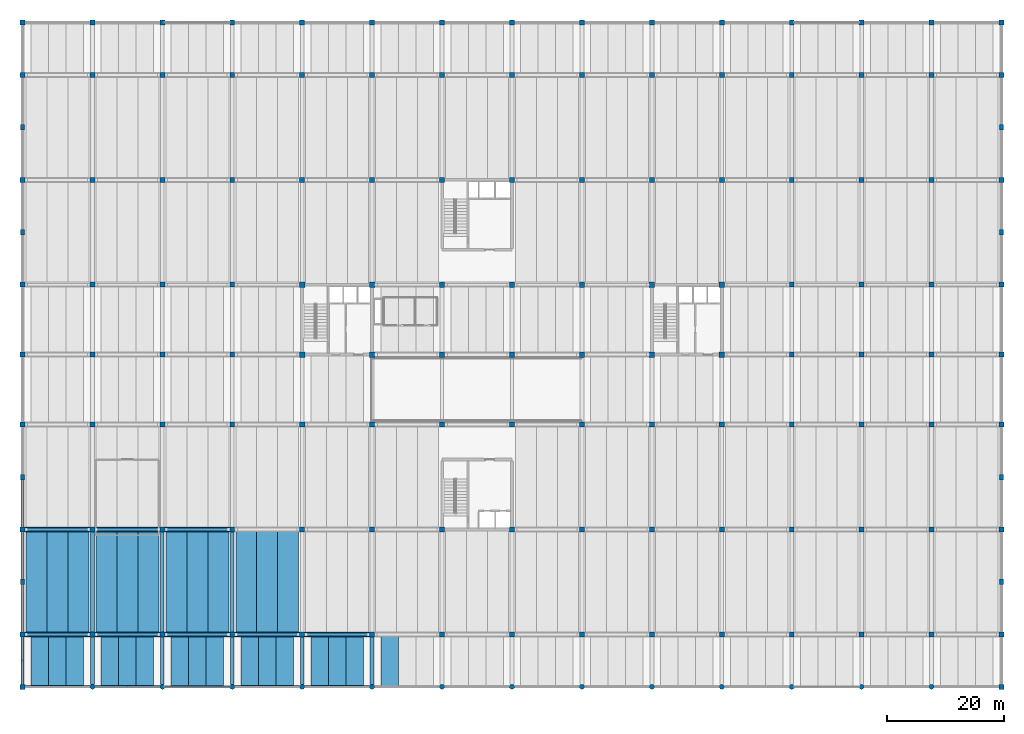
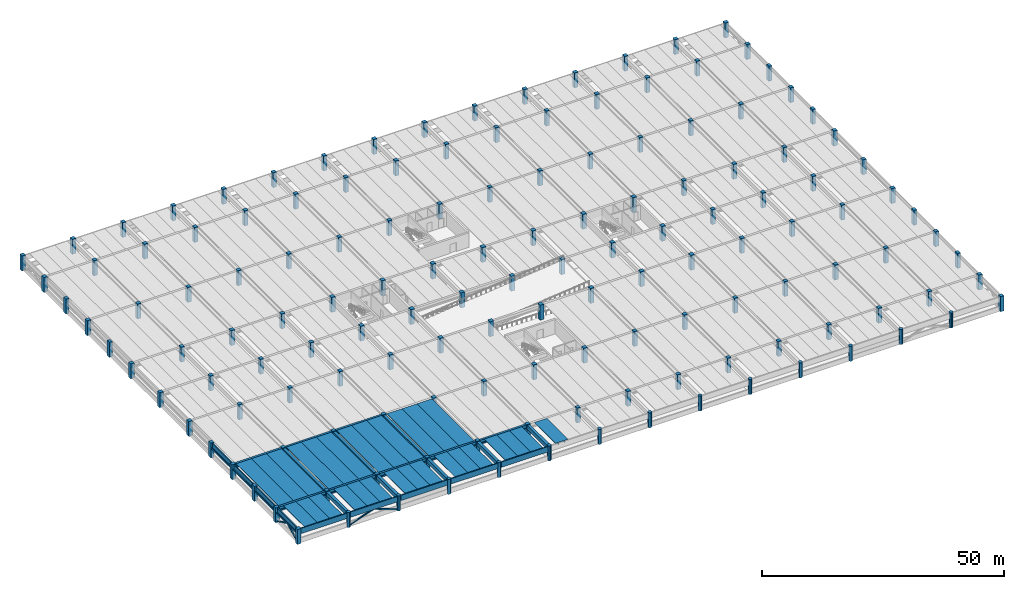
# One storey, part 1 of 19: 143 columns, 53 beams, 4 members.
"""IFC4 building model written with IfcOpenShell, lengths in metres."""

from ifc_helpers import new_model, si_unit, direction, frame, origin, origin_2d, place, context, subcontext, project, spatial, polyline, rectangle, hollow_rectangle, circle, outline, extrude, material, material_profile, profile_set, type_object, element, save


model = new_model("IFC4")

# Units and contexts
model_context = context("Model", 3, precision=1e-05, world=origin(), true_north=direction((0.0, 1.0)))
body_context = subcontext(model_context, "Body", "Model", "MODEL_VIEW")
ifc_project = project(units=[si_unit("LENGTHUNIT", "METRE"), si_unit("AREAUNIT", "SQUARE_METRE"), si_unit("VOLUMEUNIT", "CUBIC_METRE"), si_unit("PLANEANGLEUNIT", "RADIAN"), si_unit("MASSUNIT", "GRAM", prefix="KILO")], contexts=[model_context])

# Site, building, storey
site_placement = place(None, origin())
site = spatial("IfcSite", under=ifc_project, at=site_placement, CompositionType="ELEMENT")
building_placement = place(site_placement, origin())
building = spatial("IfcBuilding", under=site, at=building_placement, Name="Girod Span Mobility Hub", CompositionType="ELEMENT")
storey_placement = place(building_placement, frame((0.0, 0.0, 9.60009765625)))
storey = spatial("IfcBuildingStorey", under=building, at=storey_placement, Name="L02", CompositionType="ELEMENT", Elevation=9.60009765625)

# Columns
ifc_material_1 = material(Name="Concrete C40/50", Category="concrete")
ifc_material_profile_1 = material_profile(ifc_material_1, rectangle(XDim=0.85009765625, YDim=0.85009765625, at=origin_2d()), Name="PC-COL-850X850")
ifc_profile_set_1 = profile_set([ifc_material_profile_1], Name="Concrete C40/50")
column_type_1 = type_object("IfcColumnType", Name="COL-PC-850X850", PredefinedType="COLUMN", material=ifc_profile_set_1)
for number, where, z_axis, x_axis, name in (
    (1, (0.0, 0.0, 0.0), (0.0, 0.0, 1.0), (1.0, 0.0, 0.0), "Column 1A L02"),
    (2, (0.0, 9.0, 0.0), (0.0, 0.0, 1.0), (1.0, 0.0, 0.0), "Column 1B L02"),
    (3, (0.0, 27.0, 0.0), (0.0, 0.0, 1.0), (1.0, 0.0, 0.0), "Column 1C L02"),
    (4, (0.0, 45.0, 0.0), (0.0, 0.0, 1.0), (1.0, 0.0, 0.0), "Column 1D L02"),
    (5, (0.0, 57.0, 0.0), (0.0, 0.0, 1.0), (1.0, 0.0, 0.0), "Column 1E L02"),
    (6, (0.0, 69.0, 0.0), (0.0, 0.0, 1.0), (1.0, 0.0, 0.0), "Column 1F L02"),
    (7, (0.0, 87.0, 0.0), (0.0, 0.0, 1.0), (1.0, 0.0, 0.0), "Column 1G L02"),
    (8, (0.0, 105.0, 0.0), (0.0, 0.0, 1.0), (1.0, 0.0, 0.0), "Column 1H L02"),
    (9, (0.0, 114.0, 0.0), (0.0, 0.0, 1.0), (1.0, 0.0, 0.0), "Column 1J L02"),
    (10, (12.0, 9.0, 0.0), (0.0, 0.0, 1.0), (1.0, 0.0, 0.0), "Column 2B L02"),
    (11, (12.0, 27.0, 0.0), (0.0, 0.0, 1.0), (1.0, 0.0, 0.0), "Column 2C L02"),
    (12, (12.0, 45.0, 0.0), (0.0, 0.0, 1.0), (1.0, 0.0, 0.0), "Column 2D L02"),
    (13, (12.0, 57.0, 0.0), (0.0, 0.0, 1.0), (1.0, 0.0, 0.0), "Column 2E L02"),
    (14, (12.0, 69.0, 0.0), (0.0, 0.0, 1.0), (1.0, 0.0, 0.0), "Column 2F L02"),
    (15, (12.0, 87.0, 0.0), (0.0, 0.0, 1.0), (1.0, 0.0, 0.0), "Column 2G L02"),
    (16, (12.0, 105.0, 0.0), (0.0, 0.0, 1.0), (1.0, 0.0, 0.0), "Column 2H L02"),
    (17, (12.0, 114.0, 0.0), (0.0, 0.0, 1.0), (1.0, 0.0, 0.0), "Column 2J L02"),
    (18, (24.0, 9.0, 0.0), (0.0, 0.0, 1.0), (1.0, 0.0, 0.0), "Column 3B L02"),
    (19, (24.0, 27.0, 0.0), (0.0, 0.0, 1.0), (1.0, 0.0, 0.0), "Column 3C L02"),
    (20, (24.0, 45.0, 0.0), (0.0, 0.0, 1.0), (1.0, 0.0, 0.0), "Column 3D L02"),
    (21, (24.0, 57.0, 0.0), (0.0, 0.0, 1.0), (1.0, 0.0, 0.0), "Column 3E L02"),
    (22, (24.0, 69.0, 0.0), (0.0, 0.0, 1.0), (1.0, 0.0, 0.0), "Column 3F L02"),
    (23, (24.0, 87.0, 0.0), (0.0, 0.0, 1.0), (1.0, 0.0, 0.0), "Column 3G L02"),
    (24, (24.0, 105.0, 0.0), (0.0, 0.0, 1.0), (1.0, 0.0, 0.0), "Column 3H L02"),
    (25, (24.0, 114.0, 0.0), (0.0, 0.0, 1.0), (1.0, 0.0, 0.0), "Column 3J L02"),
    (26, (36.0, 9.0, 0.0), (0.0, 0.0, 1.0), (1.0, 0.0, 0.0), "Column 4B L02"),
    (27, (36.0, 27.0, 0.0), (0.0, 0.0, 1.0), (1.0, 0.0, 0.0), "Column 4C L02"),
    (28, (36.0, 45.0, 0.0), (0.0, 0.0, 1.0), (1.0, 0.0, 0.0), "Column 4D L02"),
    (29, (36.0, 57.0, 0.0), (0.0, 0.0, 1.0), (1.0, 0.0, 0.0), "Column 4E L02"),
    (30, (36.0, 69.0, 0.0), (0.0, 0.0, 1.0), (1.0, 0.0, 0.0), "Column 4F L02"),
    (31, (36.0, 87.0, 0.0), (0.0, 0.0, 1.0), (1.0, 0.0, 0.0), "Column 4G L02"),
    (32, (36.0, 105.0, 0.0), (0.0, 0.0, 1.0), (1.0, 0.0, 0.0), "Column 4H L02"),
    (33, (36.0, 114.0, 0.0), (0.0, 0.0, 1.0), (1.0, 0.0, 0.0), "Column 4J L02"),
    (34, (48.0, 9.0, 0.0), (0.0, 0.0, 1.0), (1.0, 0.0, 0.0), "Column 5B L02"),
    (35, (48.0, 27.0, 0.0), (0.0, 0.0, 1.0), (1.0, 0.0, 0.0), "Column 5C L02"),
    (36, (48.0, 87.0, 0.0), (0.0, 0.0, 1.0), (1.0, 0.0, 0.0), "Column 5G L02"),
    (37, (48.0, 105.0, 0.0), (0.0, 0.0, 1.0), (1.0, 0.0, 0.0), "Column 5H L02"),
    (38, (48.0, 114.0, 0.0), (0.0, 0.0, 1.0), (1.0, 0.0, 0.0), "Column 5J L02"),
    (39, (60.0, 9.0, 0.0), (0.0, 0.0, 1.0), (1.0, 0.0, 0.0), "Column 6B L02"),
    (40, (60.0, 27.0, 0.0), (0.0, 0.0, 1.0), (1.0, 0.0, 0.0), "Column 6C L02"),
    (41, (60.0, 87.0, 0.0), (0.0, 0.0, 1.0), (1.0, 0.0, 0.0), "Column 6G L02"),
    (42, (60.0, 105.0, 0.0), (0.0, 0.0, 1.0), (1.0, 0.0, 0.0), "Column 6H L02"),
    (43, (60.0, 114.0, 0.0), (0.0, 0.0, 1.0), (1.0, 0.0, 0.0), "Column 6J L02"),
    (44, (72.0, 9.0, 0.0), (0.0, 0.0, 1.0), (1.0, 0.0, 0.0), "Column 7B L02"),
    (45, (72.0, 27.0, 0.0), (0.0, 0.0, 1.0), (1.0, 0.0, 0.0), "Column 7C L02"),
    (46, (72.0, 87.0, 0.0), (0.0, 0.0, 1.0), (1.0, 0.0, 0.0), "Column 7G L02"),
    (47, (72.0, 105.0, 0.0), (0.0, 0.0, 1.0), (1.0, 0.0, 0.0), "Column 7H L02"),
    (48, (72.0, 114.0, 0.0), (0.0, 0.0, 1.0), (1.0, 0.0, 0.0), "Column 7J L02"),
    (49, (84.0, 9.0, 0.0), (0.0, 0.0, 1.0), (1.0, 0.0, 0.0), "Column 8B L02"),
    (50, (84.0, 27.0, 0.0), (0.0, 0.0, 1.0), (1.0, 0.0, 0.0), "Column 8C L02"),
    (51, (84.0, 87.0, 0.0), (0.0, 0.0, 1.0), (1.0, 0.0, 0.0), "Column 8G L02"),
    (52, (84.0, 105.0, 0.0), (0.0, 0.0, 1.0), (1.0, 0.0, 0.0), "Column 8H L02"),
    (53, (84.0, 114.0, 0.0), (0.0, 0.0, 1.0), (1.0, 0.0, 0.0), "Column 8J L02"),
    (54, (96.0, 9.0, 0.0), (0.0, 0.0, 1.0), (1.0, 0.0, 0.0), "Column 9B L02"),
    (55, (96.0, 27.0, 0.0), (0.0, 0.0, 1.0), (1.0, 0.0, 0.0), "Column 9C L02"),
    (56, (96.0, 87.0, 0.0), (0.0, 0.0, 1.0), (1.0, 0.0, 0.0), "Column 9G L02"),
    (57, (96.0, 105.0, 0.0), (0.0, 0.0, 1.0), (1.0, 0.0, 0.0), "Column 9H L02"),
    (58, (96.0, 114.0, 0.0), (0.0, 0.0, 1.0), (1.0, 0.0, 0.0), "Column 9J L02"),
    (59, (108.0, 9.0, 0.0), (0.0, 0.0, 1.0), (1.0, 0.0, 0.0), "Column 10B L02"),
    (60, (108.0, 27.0, 0.0), (0.0, 0.0, 1.0), (1.0, 0.0, 0.0), "Column 10C L02"),
    (61, (108.0, 87.0, 0.0), (0.0, 0.0, 1.0), (1.0, 0.0, 0.0), "Column 10G L02"),
    (62, (108.0, 105.0, 0.0), (0.0, 0.0, 1.0), (1.0, 0.0, 0.0), "Column 10H L02"),
    (63, (108.0, 114.0, 0.0), (0.0, 0.0, 1.0), (1.0, 0.0, 0.0), "Column 10J L02"),
    (64, (120.0, 9.0, 0.0), (0.0, 0.0, 1.0), (1.0, 0.0, 0.0), "Column 11B L02"),
    (65, (120.0, 27.0, 0.0), (0.0, 0.0, 1.0), (1.0, 0.0, 0.0), "Column 11C L02"),
    (66, (120.0, 87.0, 0.0), (0.0, 0.0, 1.0), (1.0, 0.0, 0.0), "Column 11G L02"),
    (67, (120.0, 105.0, 0.0), (0.0, 0.0, 1.0), (1.0, 0.0, 0.0), "Column 11H L02"),
    (68, (120.0, 114.0, 0.0), (0.0, 0.0, 1.0), (1.0, 0.0, 0.0), "Column 11J L02"),
    (69, (132.0, 9.0, 0.0), (0.0, 0.0, 1.0), (1.0, 0.0, 0.0), "Column 12B L02"),
    (70, (132.0, 27.0, 0.0), (0.0, 0.0, 1.0), (1.0, 0.0, 0.0), "Column 12C L02"),
    (71, (132.0, 45.0, 0.0), (0.0, 0.0, 1.0), (1.0, 0.0, 0.0), "Column 12D L02"),
    (72, (132.0, 57.0, 0.0), (0.0, 0.0, 1.0), (1.0, 0.0, 0.0), "Column 12E L02"),
    (73, (132.0, 69.0, 0.0), (0.0, 0.0, 1.0), (1.0, 0.0, 0.0), "Column 12F L02"),
    (74, (132.0, 87.0, 0.0), (0.0, 0.0, 1.0), (1.0, 0.0, 0.0), "Column 12G L02"),
    (75, (132.0, 105.0, 0.0), (0.0, 0.0, 1.0), (1.0, 0.0, 0.0), "Column 12H L02"),
    (76, (132.0, 114.0, 0.0), (0.0, 0.0, 1.0), (1.0, 0.0, 0.0), "Column 12J L02"),
    (77, (144.0, 9.0, 0.0), (0.0, 0.0, 1.0), (1.0, 0.0, 0.0), "Column 13B L02"),
    (78, (144.0, 27.0, 0.0), (0.0, 0.0, 1.0), (1.0, 0.0, 0.0), "Column 13C L02"),
    (79, (144.0, 45.0, 0.0), (0.0, 0.0, 1.0), (1.0, 0.0, 0.0), "Column 13D L02"),
    (80, (144.0, 57.0, 0.0), (0.0, 0.0, 1.0), (1.0, 0.0, 0.0), "Column 13E L02"),
    (81, (144.0, 69.0, 0.0), (0.0, 0.0, 1.0), (1.0, 0.0, 0.0), "Column 13F L02"),
    (82, (144.0, 87.0, 0.0), (0.0, 0.0, 1.0), (1.0, 0.0, 0.0), "Column 13G L02"),
    (83, (144.0, 105.0, 0.0), (0.0, 0.0, 1.0), (1.0, 0.0, 0.0), "Column 13H L02"),
    (84, (144.0, 114.0, 0.0), (0.0, 0.0, 1.0), (1.0, 0.0, 0.0), "Column 13J L02"),
    (85, (156.0, 9.0, 0.0), (0.0, 0.0, 1.0), (1.0, 0.0, 0.0), "Column 14B L02"),
    (86, (156.0, 27.0, 0.0), (0.0, 0.0, 1.0), (1.0, 0.0, 0.0), "Column 14C L02"),
    (87, (156.0, 45.0, 0.0), (0.0, 0.0, 1.0), (1.0, 0.0, 0.0), "Column 14D L02"),
    (88, (156.0, 57.0, 0.0), (0.0, 0.0, 1.0), (1.0, 0.0, 0.0), "Column 14E L02"),
    (89, (156.0, 69.0, 0.0), (0.0, 0.0, 1.0), (1.0, 0.0, 0.0), "Column 14F L02"),
    (90, (156.0, 87.0, 0.0), (0.0, 0.0, 1.0), (1.0, 0.0, 0.0), "Column 14G L02"),
    (91, (156.0, 105.0, 0.0), (0.0, 0.0, 1.0), (1.0, 0.0, 0.0), "Column 14H L02"),
    (92, (156.0, 114.0, 0.0), (0.0, 0.0, 1.0), (1.0, 0.0, 0.0), "Column 14J L02"),
    (93, (168.0, 0.0, 0.0), (0.0, 0.0, 1.0), (1.0, 0.0, 0.0), "Column 15A L02"),
    (94, (168.0, 9.0, 0.0), (0.0, 0.0, 1.0), (1.0, 0.0, 0.0), "Column 15B L02"),
    (95, (168.0, 27.0, 0.0), (0.0, 0.0, 1.0), (1.0, 0.0, 0.0), "Column 15C L02"),
    (96, (168.0, 45.0, 0.0), (0.0, 0.0, 1.0), (1.0, 0.0, 0.0), "Column 15D L02"),
    (97, (168.0, 57.0, 0.0), (0.0, 0.0, 1.0), (1.0, 0.0, 0.0), "Column 15E L02"),
    (98, (168.0, 69.0, 0.0), (0.0, 0.0, 1.0), (1.0, 0.0, 0.0), "Column 15F L02"),
    (99, (168.0, 87.0, 0.0), (0.0, 0.0, 1.0), (1.0, 0.0, 0.0), "Column 15G L02"),
    (100, (168.0, 105.0, 0.0), (0.0, 0.0, 1.0), (1.0, 0.0, 0.0), "Column 15H L02"),
    (101, (168.0, 114.0, 0.0), (0.0, 0.0, 1.0), (1.0, 0.0, 0.0), "Column 15J L02"),
):
    element("IfcColumn", number, at=place(storey_placement, frame(where, z_axis=z_axis, x_axis=x_axis)), inside=storey, type_object=column_type_1, Name=name, PredefinedType="COLUMN", context=body_context, shape_type="SweptSolid", body=[
        extrude(rectangle(XDim=0.85009765625, YDim=0.85009765625, at=origin_2d()), origin(), (0.0, 0.0, 1.0), 3.7998046875),
    ])
ifc_material_2 = material(Name="Concrete C40/50", Category="concrete")
ifc_material_profile_2 = material_profile(ifc_material_2, rectangle(XDim=0.89990234375, YDim=0.89990234375, at=origin_2d()), Name="PC-COL-900X900")
ifc_profile_set_2 = profile_set([ifc_material_profile_2], Name="Concrete C40/50")
column_type_2 = type_object("IfcColumnType", Name="COL-PC-900X900", PredefinedType="COLUMN", material=ifc_profile_set_2)
for number, where, z_axis, x_axis, name in (
    (102, (48.0, 45.0, 0.0), (0.0, 0.0, 1.0), (1.0, 0.0, 0.0), "Column 5D L02"),
    (103, (48.0, 57.0, 0.0), (0.0, 0.0, 1.0), (1.0, 0.0, 0.0), "Column 5E L02"),
    (104, (48.0, 69.0, 0.0), (0.0, 0.0, 1.0), (1.0, 0.0, 0.0), "Column 5F L02"),
    (105, (60.0, 45.0, 0.0), (0.0, 0.0, 1.0), (1.0, 0.0, 0.0), "Column 6D L02"),
    (106, (60.0, 57.0, 0.0), (0.0, 0.0, 1.0), (1.0, 0.0, 0.0), "Column 6E L02"),
    (107, (60.0, 69.0, 0.0), (0.0, 0.0, 1.0), (1.0, 0.0, 0.0), "Column 6F L02"),
    (108, (72.0, 45.0, 0.0), (0.0, 0.0, 1.0), (1.0, 0.0, 0.0), "Column 7D L02"),
    (109, (72.0, 57.0, 0.0), (0.0, 0.0, 1.0), (1.0, 0.0, 0.0), "Column 7E L02"),
    (110, (72.0, 69.0, 0.0), (0.0, 0.0, 1.0), (1.0, 0.0, 0.0), "Column 7F L02"),
    (111, (84.0, 45.0, 0.0), (0.0, 0.0, 1.0), (1.0, 0.0, 0.0), "Column 8D L02"),
    (112, (84.0, 57.0, 0.0), (0.0, 0.0, 1.0), (1.0, 0.0, 0.0), "Column 8E L02"),
    (113, (84.0, 69.0, 0.0), (0.0, 0.0, 1.0), (1.0, 0.0, 0.0), "Column 8F L02"),
    (114, (96.0, 45.0, 0.0), (0.0, 0.0, 1.0), (1.0, 0.0, 0.0), "Column 9D L02"),
    (115, (96.0, 57.0, 0.0), (0.0, 0.0, 1.0), (1.0, 0.0, 0.0), "Column 9E L02"),
    (116, (96.0, 69.0, 0.0), (0.0, 0.0, 1.0), (1.0, 0.0, 0.0), "Column 9F L02"),
    (117, (108.0, 45.0, 0.0), (0.0, 0.0, 1.0), (1.0, 0.0, 0.0), "Column 10D L02"),
    (118, (108.0, 57.0, 0.0), (0.0, 0.0, 1.0), (1.0, 0.0, 0.0), "Column 10E L02"),
    (119, (108.0, 69.0, 0.0), (0.0, 0.0, 1.0), (1.0, 0.0, 0.0), "Column 10F L02"),
    (120, (120.0, 45.0, 0.0), (0.0, 0.0, 1.0), (1.0, 0.0, 0.0), "Column 11D L02"),
    (121, (120.0, 57.0, 0.0), (0.0, 0.0, 1.0), (1.0, 0.0, 0.0), "Column 11E L02"),
    (122, (120.0, 69.0, 0.0), (0.0, 0.0, 1.0), (1.0, 0.0, 0.0), "Column 11F L02"),
):
    element("IfcColumn", number, at=place(storey_placement, frame(where, z_axis=z_axis, x_axis=x_axis)), inside=storey, type_object=column_type_2, Name=name, PredefinedType="COLUMN", context=body_context, shape_type="SweptSolid", body=[
        extrude(rectangle(XDim=0.89990234375, YDim=0.89990234375, at=origin_2d()), origin(), (0.0, 0.0, 1.0), 3.7998046875),
    ])
ifc_material_3 = material(Name="Concrete C40/50", Category="concrete")
ifc_material_profile_3 = material_profile(ifc_material_3, circle(Radius=0.425048828125, at=origin_2d()), Name="PC-CIR-D850")
ifc_profile_set_3 = profile_set([ifc_material_profile_3], Name="Concrete C40/50")
column_type_3 = type_object("IfcColumnType", Name="COL-PC-D850", PredefinedType="COLUMN", material=ifc_profile_set_3)
for number, where, z_axis, x_axis, name in (
    (123, (12.0, 0.0, 0.0), (0.0, 0.0, 1.0), (1.0, 0.0, 0.0), "Column 2A L02"),
    (124, (24.0, 0.0, 0.0), (0.0, 0.0, 1.0), (1.0, 0.0, 0.0), "Column 3A L02"),
    (125, (36.0, 0.0, 0.0), (0.0, 0.0, 1.0), (1.0, 0.0, 0.0), "Column 4A L02"),
    (126, (48.0, 0.0, 0.0), (0.0, 0.0, 1.0), (1.0, 0.0, 0.0), "Column 5A L02"),
    (127, (60.0, 0.0, 0.0), (0.0, 0.0, 1.0), (1.0, 0.0, 0.0), "Column 6A L02"),
    (128, (72.0, 0.0, 0.0), (0.0, 0.0, 1.0), (1.0, 0.0, 0.0), "Column 7A L02"),
    (129, (84.0, 0.0, 0.0), (0.0, 0.0, 1.0), (1.0, 0.0, 0.0), "Column 8A L02"),
    (130, (96.0, 0.0, 0.0), (0.0, 0.0, 1.0), (1.0, 0.0, 0.0), "Column 9A L02"),
    (131, (108.0, 0.0, 0.0), (0.0, 0.0, 1.0), (1.0, 0.0, 0.0), "Column 10A L02"),
    (132, (120.0, 0.0, 0.0), (0.0, 0.0, 1.0), (1.0, 0.0, 0.0), "Column 11A L02"),
    (133, (132.0, 0.0, 0.0), (0.0, 0.0, 1.0), (1.0, 0.0, 0.0), "Column 12A L02"),
    (134, (144.0, 0.0, 0.0), (0.0, 0.0, 1.0), (1.0, 0.0, 0.0), "Column 13A L02"),
    (135, (156.0, 0.0, 0.0), (0.0, 0.0, 1.0), (1.0, 0.0, 0.0), "Column 14A L02"),
):
    element("IfcColumn", number, at=place(storey_placement, frame(where, z_axis=z_axis, x_axis=x_axis)), inside=storey, type_object=column_type_3, Name=name, PredefinedType="COLUMN", context=body_context, shape_type="SweptSolid", body=[
        extrude(circle(Radius=0.425048828125, at=origin_2d()), origin(), (0.0, 0.0, 1.0), 3.7998046875),
    ])
ifc_material_4 = material(Name="Concrete C40/50", Category="concrete")
ifc_material_profile_4 = material_profile(ifc_material_4, rectangle(XDim=0.699951171875, YDim=0.949951171875, at=origin_2d()), Name="PC-PIL-700X950")
ifc_profile_set_4 = profile_set([ifc_material_profile_4], Name="Concrete C40/50")
column_type_4 = type_object("IfcColumnType", Name="PIL-PC-700X950", PredefinedType="PILASTER", material=ifc_profile_set_4)
for number, where, z_axis, x_axis, name in (
    (136, (0.0, 18.0, 0.0), (0.0, 0.0, 1.0), (1.0, 0.0, 0.0), "Precast Pilaster PIL-W-18 L02"),
    (137, (0.0, 36.0, 0.0), (0.0, 0.0, 1.0), (1.0, 0.0, 0.0), "Precast Pilaster PIL-W-36 L02"),
    (138, (0.0, 78.0, 0.0), (0.0, 0.0, 1.0), (1.0, 0.0, 0.0), "Precast Pilaster PIL-W-78 L02"),
    (139, (0.0, 96.0, 0.0), (0.0, 0.0, 1.0), (1.0, 0.0, 0.0), "Precast Pilaster PIL-W-96 L02"),
    (140, (168.0, 18.0, 0.0), (0.0, 0.0, 1.0), (1.0, 0.0, 0.0), "Precast Pilaster PIL-E-18 L02"),
    (141, (168.0, 36.0, 0.0), (0.0, 0.0, 1.0), (1.0, 0.0, 0.0), "Precast Pilaster PIL-E-36 L02"),
    (142, (168.0, 78.0, 0.0), (0.0, 0.0, 1.0), (1.0, 0.0, 0.0), "Precast Pilaster PIL-E-78 L02"),
    (143, (168.0, 96.0, 0.0), (0.0, 0.0, 1.0), (1.0, 0.0, 0.0), "Precast Pilaster PIL-E-96 L02"),
):
    element("IfcColumn", number, at=place(storey_placement, frame(where, z_axis=z_axis, x_axis=x_axis)), inside=storey, type_object=column_type_4, Name=name, PredefinedType="PILASTER", context=body_context, shape_type="SweptSolid", body=[
        extrude(rectangle(XDim=0.699951171875, YDim=0.949951171875, at=origin_2d()), origin(), (0.0, 0.0, 1.0), 3.7998046875),
    ])

# Beams
ifc_material_5 = material(Name="Concrete C50/60", Category="concrete")
ifc_material_profile_5 = material_profile(ifc_material_5, outline(polyline([(-1.5, 0.35009765625), (-1.5, 0.2548828125), (-0.840087890625, 0.2548828125), (-0.81494140625, -0.35009765625), (-0.68505859375, -0.35009765625), (-0.659912109375, 0.2548828125), (0.659912109375, 0.2548828125), (0.68505859375, -0.35009765625), (0.81494140625, -0.35009765625), (0.840087890625, 0.2548828125), (1.5, 0.2548828125), (1.5, 0.35009765625), (-1.5, 0.35009765625)])), Name="DT-3000X700")
ifc_profile_set_5 = profile_set([ifc_material_profile_5], Name="Concrete C50/60")
beam_type_1 = type_object("IfcBeamType", Name="BM-DT-3000X700", PredefinedType="JOIST", material=ifc_profile_set_5)
for number, where, z_axis, x_axis, name in (
    (144, (3.0, 0.02197265625, 3.284912109375), (0.0, 1.0, 0.0), (-1.0, 0.0, 0.0), "Double-Tee Deck 1/A-1 L02"),
    (145, (6.0, 0.02197265625, 3.284912109375), (0.0, 1.0, 0.0), (-1.0, 0.0, 0.0), "Double-Tee Deck 1/A-2 L02"),
    (146, (9.0, 0.02197265625, 3.284912109375), (0.0, 1.0, 0.0), (-1.0, 0.0, 0.0), "Double-Tee Deck 1/A-3 L02"),
    (147, (15.0, 0.02197265625, 3.284912109375), (0.0, 1.0, 0.0), (-1.0, 0.0, 0.0), "Double-Tee Deck 2/A-1 L02"),
    (148, (18.0, 0.02197265625, 3.284912109375), (0.0, 1.0, 0.0), (-1.0, 0.0, 0.0), "Double-Tee Deck 2/A-2 L02"),
    (149, (21.0, 0.02197265625, 3.284912109375), (0.0, 1.0, 0.0), (-1.0, 0.0, 0.0), "Double-Tee Deck 2/A-3 L02"),
    (150, (27.0, 0.02197265625, 3.284912109375), (0.0, 1.0, 0.0), (-1.0, 0.0, 0.0), "Double-Tee Deck 3/A-1 L02"),
    (151, (30.0, 0.02197265625, 3.284912109375), (0.0, 1.0, 0.0), (-1.0, 0.0, 0.0), "Double-Tee Deck 3/A-2 L02"),
    (152, (33.0, 0.02197265625, 3.284912109375), (0.0, 1.0, 0.0), (-1.0, 0.0, 0.0), "Double-Tee Deck 3/A-3 L02"),
    (153, (39.0, 0.02197265625, 3.284912109375), (0.0, 1.0, 0.0), (-1.0, 0.0, 0.0), "Double-Tee Deck 4/A-1 L02"),
    (154, (42.0, 0.02197265625, 3.284912109375), (0.0, 1.0, 0.0), (-1.0, 0.0, 0.0), "Double-Tee Deck 4/A-2 L02"),
    (155, (45.0, 0.02197265625, 3.284912109375), (0.0, 1.0, 0.0), (-1.0, 0.0, 0.0), "Double-Tee Deck 4/A-3 L02"),
    (156, (51.0, 0.02197265625, 3.284912109375), (0.0, 1.0, 0.0), (-1.0, 0.0, 0.0), "Double-Tee Deck 5/A-1 L02"),
    (157, (54.0, 0.02197265625, 3.284912109375), (0.0, 1.0, 0.0), (-1.0, 0.0, 0.0), "Double-Tee Deck 5/A-2 L02"),
    (158, (57.0, 0.02197265625, 3.284912109375), (0.0, 1.0, 0.0), (-1.0, 0.0, 0.0), "Double-Tee Deck 5/A-3 L02"),
    (159, (63.0, 0.02197265625, 3.284912109375), (0.0, 1.0, 0.0), (-1.0, 0.0, 0.0), "Double-Tee Deck 6/A-1 L02"),
):
    element("IfcBeam", number, at=place(storey_placement, frame(where, z_axis=z_axis, x_axis=x_axis)), inside=storey, type_object=beam_type_1, Name=name, PredefinedType="JOIST", context=body_context, shape_type="SweptSolid", body=[
        extrude(outline(polyline([(-1.5, 0.35009765625), (-1.5, 0.2548828125), (-0.840087890625, 0.2548828125), (-0.81494140625, -0.35009765625), (-0.68505859375, -0.35009765625), (-0.659912109375, 0.2548828125), (0.659912109375, 0.2548828125), (0.68505859375, -0.35009765625), (0.81494140625, -0.35009765625), (0.840087890625, 0.2548828125), (1.5, 0.2548828125), (1.5, 0.35009765625), (-1.5, 0.35009765625)])), origin(), (0.0, 0.0, 1.0), 8.73095703125),
    ])
ifc_material_6 = material(Name="Concrete C50/60", Category="concrete")
ifc_material_profile_6 = material_profile(ifc_material_6, outline(polyline([(-1.800048828125, 0.425048828125), (-1.800048828125, 0.324951171875), (-1.0, 0.324951171875), (-0.969970703125, -0.425048828125), (-0.830078125, -0.425048828125), (-0.800048828125, 0.324951171875), (0.800048828125, 0.324951171875), (0.830078125, -0.425048828125), (0.969970703125, -0.425048828125), (1.0, 0.324951171875), (1.800048828125, 0.324951171875), (1.800048828125, 0.425048828125), (-1.800048828125, 0.425048828125)])), Name="DT-3600X850")
ifc_profile_set_6 = profile_set([ifc_material_profile_6], Name="Concrete C50/60")
beam_type_2 = type_object("IfcBeamType", Name="BM-DT-3600X850", PredefinedType="JOIST", material=ifc_profile_set_6)
for number, where, z_axis, x_axis, name in (
    (160, (2.39990234375, 9.2470703125, 3.2099609375), (0.0, 1.0, 0.0), (-1.0, 0.0, 0.0), "Double-Tee Deck 1/B-1 L02"),
    (161, (6.0, 9.2470703125, 3.2099609375), (0.0, 1.0, 0.0), (-1.0, 0.0, 0.0), "Double-Tee Deck 1/B-2 L02"),
    (162, (9.60009765625, 9.2470703125, 3.2099609375), (0.0, 1.0, 0.0), (-1.0, 0.0, 0.0), "Double-Tee Deck 1/B-3 L02"),
    (163, (14.39990234375, 9.2470703125, 3.2099609375), (0.0, 1.0, 0.0), (-1.0, 0.0, 0.0), "Double-Tee Deck 2/B-1 L02"),
    (164, (18.0, 9.2470703125, 3.2099609375), (0.0, 1.0, 0.0), (-1.0, 0.0, 0.0), "Double-Tee Deck 2/B-2 L02"),
    (165, (21.60009765625, 9.2470703125, 3.2099609375), (0.0, 1.0, 0.0), (-1.0, 0.0, 0.0), "Double-Tee Deck 2/B-3 L02"),
    (166, (26.39990234375, 9.2470703125, 3.2099609375), (0.0, 1.0, 0.0), (-1.0, 0.0, 0.0), "Double-Tee Deck 3/B-1 L02"),
    (167, (30.0, 9.2470703125, 3.2099609375), (0.0, 1.0, 0.0), (-1.0, 0.0, 0.0), "Double-Tee Deck 3/B-2 L02"),
    (168, (33.60009765625, 9.2470703125, 3.2099609375), (0.0, 1.0, 0.0), (-1.0, 0.0, 0.0), "Double-Tee Deck 3/B-3 L02"),
    (169, (38.39990234375, 9.2470703125, 3.2099609375), (0.0, 1.0, 0.0), (-1.0, 0.0, 0.0), "Double-Tee Deck 4/B-1 L02"),
    (170, (42.0, 9.2470703125, 3.2099609375), (0.0, 1.0, 0.0), (-1.0, 0.0, 0.0), "Double-Tee Deck 4/B-2 L02"),
    (171, (45.60009765625, 9.2470703125, 3.2099609375), (0.0, 1.0, 0.0), (-1.0, 0.0, 0.0), "Double-Tee Deck 4/B-3 L02"),
):
    element("IfcBeam", number, at=place(storey_placement, frame(where, z_axis=z_axis, x_axis=x_axis)), inside=storey, type_object=beam_type_2, Name=name, PredefinedType="JOIST", context=body_context, shape_type="SweptSolid", body=[
        extrude(outline(polyline([(-1.800048828125, 0.425048828125), (-1.800048828125, 0.324951171875), (-1.0, 0.324951171875), (-0.969970703125, -0.425048828125), (-0.830078125, -0.425048828125), (-0.800048828125, 0.324951171875), (0.800048828125, 0.324951171875), (0.830078125, -0.425048828125), (0.969970703125, -0.425048828125), (1.0, 0.324951171875), (1.800048828125, 0.324951171875), (1.800048828125, 0.425048828125), (-1.800048828125, 0.425048828125)])), origin(), (0.0, 0.0, 1.0), 17.505859375),
    ])
ifc_material_7 = material(Name="Concrete C50/60", Category="concrete")
ifc_material_profile_7 = material_profile(ifc_material_7, outline(polyline([(-0.425048828125, -0.47509765625), (0.425048828125, -0.47509765625), (0.425048828125, -0.155029296875), (0.25, -0.155029296875), (0.25, 0.47509765625), (-0.25, 0.47509765625), (-0.25, -0.155029296875), (-0.425048828125, -0.155029296875), (-0.425048828125, -0.47509765625)])), Name="IT-850X950")
ifc_profile_set_7 = profile_set([ifc_material_profile_7], Name="Concrete C50/60")
beam_type_3 = type_object("IfcBeamType", Name="BM-IT-850X950", PredefinedType="T_BEAM", material=ifc_profile_set_7)
for number, where, z_axis, x_axis, name in (
    (172, (0.422119140625, 9.0, 3.159912109375), (1.0, 0.0, 0.0), (0.0, 1.0, 0.0), "Girder 1-2/B L02"),
    (173, (12.422119140625, 9.0, 3.159912109375), (1.0, 0.0, 0.0), (0.0, 1.0, 0.0), "Girder 2-3/B L02"),
    (174, (24.422119140625, 9.0, 3.159912109375), (1.0, 0.0, 0.0), (0.0, 1.0, 0.0), "Girder 3-4/B L02"),
    (175, (36.422119140625, 9.0, 3.159912109375), (1.0, 0.0, 0.0), (0.0, 1.0, 0.0), "Girder 4-5/B L02"),
    (176, (48.422119140625, 9.0, 3.159912109375), (1.0, 0.0, 0.0), (0.0, 1.0, 0.0), "Girder 5-6/B L02"),
    (177, (0.422119140625, 27.0, 3.159912109375), (1.0, 0.0, 0.0), (0.0, 1.0, 0.0), "Girder 1-2/C L02"),
    (178, (12.422119140625, 27.0, 3.159912109375), (1.0, 0.0, 0.0), (0.0, 1.0, 0.0), "Girder 2-3/C L02"),
    (179, (24.422119140625, 27.0, 3.159912109375), (1.0, 0.0, 0.0), (0.0, 1.0, 0.0), "Girder 3-4/C L02"),
):
    element("IfcBeam", number, at=place(storey_placement, frame(where, z_axis=z_axis, x_axis=x_axis)), inside=storey, type_object=beam_type_3, Name=name, PredefinedType="T_BEAM", context=body_context, shape_type="SweptSolid", body=[
        extrude(outline(polyline([(-0.425048828125, -0.47509765625), (0.425048828125, -0.47509765625), (0.425048828125, -0.155029296875), (0.25, -0.155029296875), (0.25, 0.47509765625), (-0.25, 0.47509765625), (-0.25, -0.155029296875), (-0.425048828125, -0.155029296875), (-0.425048828125, -0.47509765625)])), origin(), (0.0, 0.0, 1.0), 11.15576171875),
    ])
ifc_material_8 = material(Name="Concrete C40/50", Category="concrete")
ifc_material_profile_8 = material_profile(ifc_material_8, outline(polyline([(-0.22509765625, -0.675048828125), (0.22509765625, -0.675048828125), (0.22509765625, -0.324951171875), (0.02490234375, -0.324951171875), (0.02490234375, 0.675048828125), (-0.22509765625, 0.675048828125), (-0.22509765625, -0.675048828125)])), Name="SP-450X1350")
ifc_profile_set_8 = profile_set([ifc_material_profile_8], Name="Concrete C40/50")
beam_type_4 = type_object("IfcBeamType", Name="BM-SP-450X1350", PredefinedType="SPANDREL", material=ifc_profile_set_8)
for number, where, z_axis, x_axis, name in (
    (180, (0.422119140625, 0.0, 2.9599609375), (1.0, 0.0, 0.0), (0.0, 1.0, 0.0), "Girder 1-2/A L02"),
    (181, (12.422119140625, 0.0, 2.9599609375), (1.0, 0.0, 0.0), (0.0, 1.0, 0.0), "Girder 2-3/A L02"),
    (182, (24.422119140625, 0.0, 2.9599609375), (1.0, 0.0, 0.0), (0.0, 1.0, 0.0), "Girder 3-4/A L02"),
    (183, (36.422119140625, 0.0, 2.9599609375), (1.0, 0.0, 0.0), (0.0, 1.0, 0.0), "Girder 4-5/A L02"),
    (184, (48.422119140625, 0.0, 2.9599609375), (1.0, 0.0, 0.0), (0.0, 1.0, 0.0), "Girder 5-6/A L02"),
):
    element("IfcBeam", number, at=place(storey_placement, frame(where, z_axis=z_axis, x_axis=x_axis)), inside=storey, type_object=beam_type_4, Name=name, PredefinedType="SPANDREL", context=body_context, shape_type="SweptSolid", body=[
        extrude(outline(polyline([(-0.22509765625, -0.675048828125), (0.22509765625, -0.675048828125), (0.22509765625, -0.324951171875), (0.02490234375, -0.324951171875), (0.02490234375, 0.675048828125), (-0.22509765625, 0.675048828125), (-0.22509765625, -0.675048828125)])), origin(), (0.0, 0.0, 1.0), 11.15576171875),
    ])
beam_1_placement = place(storey_placement, frame((0.0, 0.422119140625, 2.9599609375), z_axis=(0.0, 1.0, 0.0), x_axis=(-1.0, 0.0, 0.0)))
element("IfcBeam", 185, at=beam_1_placement, inside=storey, type_object=beam_type_4, Name="Tie Girder 1/A-B L02", PredefinedType="SPANDREL", context=body_context, shape_type="SweptSolid", body=[
    extrude(outline(polyline([(-0.22509765625, -0.675048828125), (0.22509765625, -0.675048828125), (0.22509765625, -0.324951171875), (0.02490234375, -0.324951171875), (0.02490234375, 0.675048828125), (-0.22509765625, 0.675048828125), (-0.22509765625, -0.675048828125)])), origin(), (0.0, 0.0, 1.0), 8.15576171875),
])
for number, where, z_axis, x_axis, name in (
    (186, (0.0, 9.422119140625, 2.9599609375), (0.0, 1.0, 0.0), (-1.0, 0.0, 0.0), "Perimeter Spandrel 1/B-S L02"),
    (187, (0.0, 18.471923828125, 2.9599609375), (0.0, 1.0, 0.0), (-1.0, 0.0, 0.0), "Perimeter Spandrel 1/B-N L02"),
    (188, (0.0, 27.422119140625, 2.9599609375), (0.0, 1.0, 0.0), (-1.0, 0.0, 0.0), "Perimeter Spandrel 1/C-S L02"),
):
    element("IfcBeam", number, at=place(storey_placement, frame(where, z_axis=z_axis, x_axis=x_axis)), inside=storey, type_object=beam_type_4, Name=name, PredefinedType="SPANDREL", context=body_context, shape_type="SweptSolid", body=[
        extrude(outline(polyline([(-0.22509765625, -0.675048828125), (0.22509765625, -0.675048828125), (0.22509765625, -0.324951171875), (0.02490234375, -0.324951171875), (0.02490234375, 0.675048828125), (-0.22509765625, 0.675048828125), (-0.22509765625, -0.675048828125)])), origin(), (0.0, 0.0, 1.0), 8.10595703125),
    ])
ifc_material_9 = material(Name="Concrete C40/50", Category="concrete")
ifc_material_profile_9 = material_profile(ifc_material_9, rectangle(XDim=0.64990234375, YDim=1.0, at=origin_2d()), Name="TG-650X1000")
ifc_profile_set_9 = profile_set([ifc_material_profile_9], Name="Concrete C40/50")
beam_type_5 = type_object("IfcBeamType", Name="BM-TG-650X1000", PredefinedType="T_BEAM", material=ifc_profile_set_9)
beam_2_placement = place(storey_placement, frame((12.0, 0.422119140625, 3.135009765625), z_axis=(0.0, 1.0, 0.0), x_axis=(-1.0, 0.0, 0.0)))
element("IfcBeam", 189, at=beam_2_placement, inside=storey, type_object=beam_type_5, Name="Tie Girder 2/A-B L02", PredefinedType="T_BEAM", context=body_context, shape_type="SweptSolid", body=[
    extrude(rectangle(XDim=0.64990234375, YDim=1.0, at=origin_2d()), origin(), (0.0, 0.0, 1.0), 8.15576171875),
])
beam_3_placement = place(storey_placement, frame((12.0, 9.422119140625, 3.135009765625), z_axis=(0.0, 1.0, 0.0), x_axis=(-1.0, 0.0, 0.0)))
element("IfcBeam", 190, at=beam_3_placement, inside=storey, type_object=beam_type_5, Name="Tie Girder 2/B-C L02", PredefinedType="T_BEAM", context=body_context, shape_type="SweptSolid", body=[
    extrude(rectangle(XDim=0.64990234375, YDim=1.0, at=origin_2d()), origin(), (0.0, 0.0, 1.0), 17.15576171875),
])
beam_4_placement = place(storey_placement, frame((24.0, 0.422119140625, 3.135009765625), z_axis=(0.0, 1.0, 0.0), x_axis=(-1.0, 0.0, 0.0)))
element("IfcBeam", 191, at=beam_4_placement, inside=storey, type_object=beam_type_5, Name="Tie Girder 3/A-B L02", PredefinedType="T_BEAM", context=body_context, shape_type="SweptSolid", body=[
    extrude(rectangle(XDim=0.64990234375, YDim=1.0, at=origin_2d()), origin(), (0.0, 0.0, 1.0), 8.15576171875),
])
beam_5_placement = place(storey_placement, frame((24.0, 9.422119140625, 3.135009765625), z_axis=(0.0, 1.0, 0.0), x_axis=(-1.0, 0.0, 0.0)))
element("IfcBeam", 192, at=beam_5_placement, inside=storey, type_object=beam_type_5, Name="Tie Girder 3/B-C L02", PredefinedType="T_BEAM", context=body_context, shape_type="SweptSolid", body=[
    extrude(rectangle(XDim=0.64990234375, YDim=1.0, at=origin_2d()), origin(), (0.0, 0.0, 1.0), 17.15576171875),
])
beam_6_placement = place(storey_placement, frame((36.0, 0.422119140625, 3.135009765625), z_axis=(0.0, 1.0, 0.0), x_axis=(-1.0, 0.0, 0.0)))
element("IfcBeam", 193, at=beam_6_placement, inside=storey, type_object=beam_type_5, Name="Tie Girder 4/A-B L02", PredefinedType="T_BEAM", context=body_context, shape_type="SweptSolid", body=[
    extrude(rectangle(XDim=0.64990234375, YDim=1.0, at=origin_2d()), origin(), (0.0, 0.0, 1.0), 8.15576171875),
])
beam_7_placement = place(storey_placement, frame((36.0, 9.422119140625, 3.135009765625), z_axis=(0.0, 1.0, 0.0), x_axis=(-1.0, 0.0, 0.0)))
element("IfcBeam", 194, at=beam_7_placement, inside=storey, type_object=beam_type_5, Name="Tie Girder 4/B-C L02", PredefinedType="T_BEAM", context=body_context, shape_type="SweptSolid", body=[
    extrude(rectangle(XDim=0.64990234375, YDim=1.0, at=origin_2d()), origin(), (0.0, 0.0, 1.0), 17.15576171875),
])
for number, where, z_axis, x_axis, name in (
    (195, (48.0, 0.422119140625, 3.135009765625), (0.0, 1.0, 0.0), (-1.0, 0.0, 0.0), "Tie Girder 5/A-B L02"),
    (196, (60.0, 0.422119140625, 3.135009765625), (0.0, 1.0, 0.0), (-1.0, 0.0, 0.0), "Tie Girder 6/A-B L02"),
):
    element("IfcBeam", number, at=place(storey_placement, frame(where, z_axis=z_axis, x_axis=x_axis)), inside=storey, type_object=beam_type_5, Name=name, PredefinedType="T_BEAM", context=body_context, shape_type="SweptSolid", body=[
        extrude(rectangle(XDim=0.64990234375, YDim=1.0, at=origin_2d()), origin(), (0.0, 0.0, 1.0), 8.15576171875),
    ])

# Members
ifc_material_10 = material(Name="Steel HSS A500 Grade C", Category="steel")
ifc_material_profile_10 = material_profile(ifc_material_10, hollow_rectangle(XDim=0.304931640625, YDim=0.304931640625, WallThickness=0.014892578125, InnerFilletRadius=0.014892578125, OuterFilletRadius=0.029541015625, at=origin_2d()), Name="HSS305X305X16")
ifc_profile_set_10 = profile_set([ifc_material_profile_10], Name="Steel HSS A500 Grade C")
member_type = type_object("IfcMemberType", Name="MB-BR-HSS305", PredefinedType="BRACE", material=ifc_profile_set_10)
for number, where, z_axis, x_axis, name in (
    (197, (12.405029296875, 0.0, 0.349853515625), (0.940836636114, 0.0, 0.33886047888), (0.0, 1.0, 0.0), "Perimeter Chevron Brace 2/A-L L02"),
    (198, (23.594970703125, 0.0, 0.349853515625), (-0.940836636114, 0.0, 0.33886047888), (0.0, -1.0, 0.0), "Perimeter Chevron Brace 2/A-R L02"),
):
    element("IfcMember", number, at=place(storey_placement, frame(where, z_axis=z_axis, x_axis=x_axis)), inside=storey, type_object=member_type, Name=name, PredefinedType="BRACE", context=body_context, shape_type="SweptSolid", body=[
        extrude(hollow_rectangle(XDim=0.304931640625, YDim=0.304931640625, WallThickness=0.014892578125, InnerFilletRadius=0.014892578125, OuterFilletRadius=0.029541015625, at=origin_2d()), origin(), (0.0, 0.0, 1.0), 5.94677734375),
    ])
for number, where, z_axis, x_axis, name in (
    (199, (0.0, 0.405029296875, 0.349853515625), (0.0, 0.897244365985, 0.441534310907), (-1.0, 0.0, 0.0), "Side Chevron Brace 1/A-S L02"),
    (200, (0.0, 8.594970703125, 0.349853515625), (0.0, -0.897244365985, 0.441534310907), (1.0, 0.0, 0.0), "Side Chevron Brace 1/A-N L02"),
):
    element("IfcMember", number, at=place(storey_placement, frame(where, z_axis=z_axis, x_axis=x_axis)), inside=storey, type_object=member_type, Name=name, PredefinedType="BRACE", context=body_context, shape_type="SweptSolid", body=[
        extrude(hollow_rectangle(XDim=0.304931640625, YDim=0.304931640625, WallThickness=0.014892578125, InnerFilletRadius=0.014892578125, OuterFilletRadius=0.029541015625, at=origin_2d()), origin(), (0.0, 0.0, 1.0), 4.56396484375),
    ])

save(model, "model.ifc")
